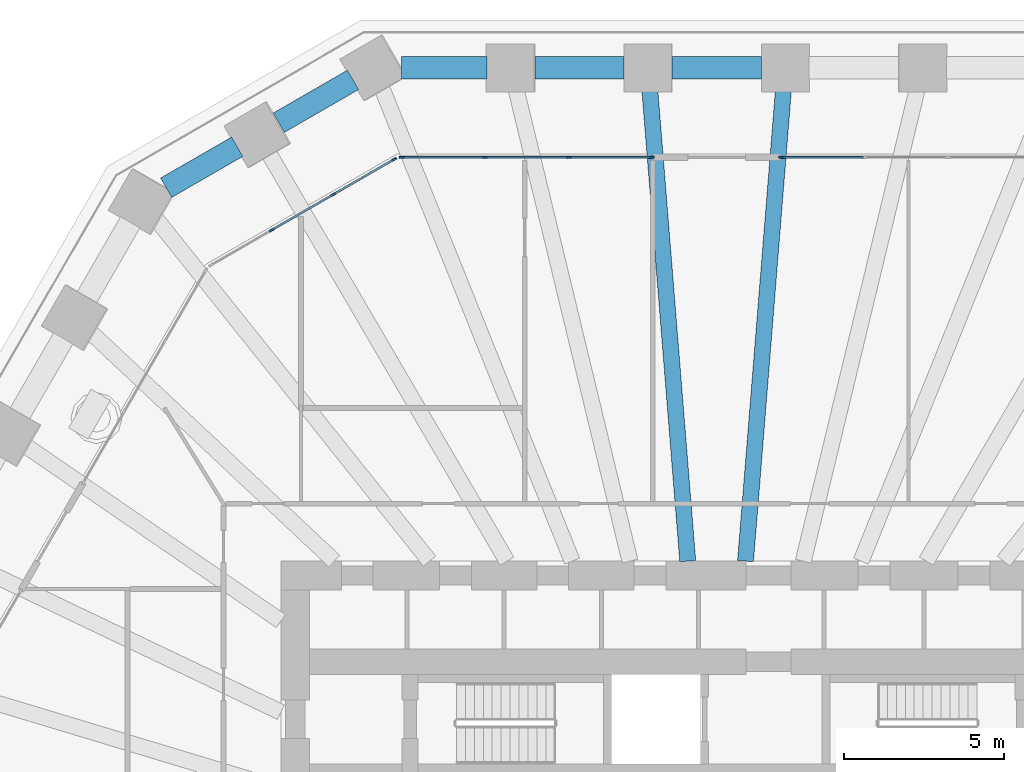
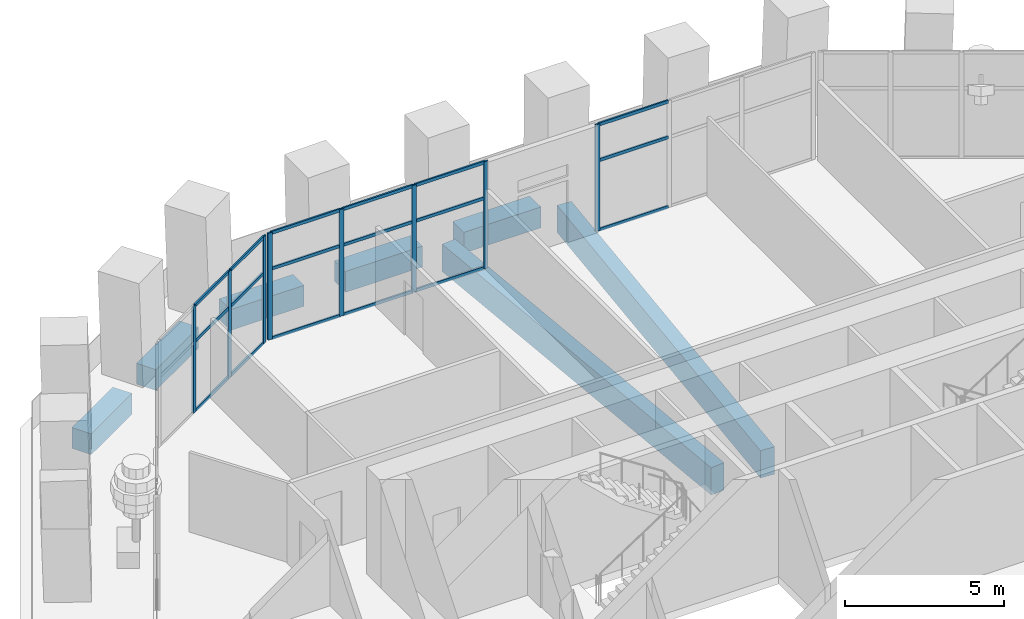
# One storey, part 7 of 18: 26 members, 7 beams, 3 elements without a shape of their own.
"""IFC4 building model written with IfcOpenShell, lengths in metres."""

from ifc_helpers import new_model, si_unit, direction, frame, origin, origin_2d, place, context, subcontext, project, spatial, rectangle, extrude, material, material_profile, profile_set, type_object, element, aggregate, save


model = new_model("IFC4")

# Units and contexts
model_context = context("Model", 3, precision=1e-05, world=origin(), true_north=direction((0.0, 1.0)))
body_context = subcontext(model_context, "Body", "Model", "MODEL_VIEW")
ifc_project = project(units=[si_unit("LENGTHUNIT", "METRE"), si_unit("AREAUNIT", "SQUARE_METRE"), si_unit("VOLUMEUNIT", "CUBIC_METRE"), si_unit("PLANEANGLEUNIT", "RADIAN"), si_unit("MASSUNIT", "GRAM", prefix="KILO")], contexts=[model_context])

# Site, building, storey
site_placement = place(None, origin())
site = spatial("IfcSite", under=ifc_project, at=site_placement, CompositionType="ELEMENT")
building_placement = place(site_placement, origin())
building = spatial("IfcBuilding", under=site, at=building_placement, Name="Frailejon Research Tower", CompositionType="ELEMENT")
storey_placement = place(building_placement, frame((0.0, 0.0, 19.0)))
storey = spatial("IfcBuildingStorey", under=building, at=storey_placement, Name="L04", CompositionType="ELEMENT", Elevation=19.0)

# Curtain wall, member
ifc_material_1 = material(Name="Aluminium curtain wall", Category="aluminium")
curtain_wall_type = type_object("IfcCurtainWallType", Name="Base zone unitised curtain wall system", PredefinedType="NOTDEFINED", material=ifc_material_1)
curtain_wall_1_placement = place(storey_placement, origin())
curtain_wall_1 = element("IfcCurtainWall", 1, at=curtain_wall_1_placement, inside=storey, type_object=curtain_wall_type, Name="Curtain wall L04", PredefinedType="NOTDEFINED")
ifc_material_2 = material(Name="Aluminium extrusion", Category="aluminium")
ifc_material_profile_1 = material_profile(ifc_material_2, rectangle(XDim=0.06005859375, YDim=0.159912109375, at=origin_2d()), Name="Base zone unitised curtain wall mullion 60x160")
ifc_profile_set_1 = profile_set([ifc_material_profile_1], Name="Aluminium extrusion")
member_type_1 = type_object("IfcMemberType", Name="Base zone unitised curtain wall mullion 60x160", PredefinedType="MULLION", material=ifc_profile_set_1)
member_1_placement = place(storey_placement, frame((2.02783203125, 23.89990234375, 0.0), z_axis=(0.0, 0.0, 1.0), x_axis=(0.0, -1.0, 0.0)))
member_1 = element("IfcMember", 2, at=member_1_placement, type_object=member_type_1, Name="CW3-067 mullion 4", PredefinedType="MULLION", context=body_context, shape_type="SweptSolid", body=[
    extrude(rectangle(XDim=0.06005859375, YDim=0.159912109375, at=origin_2d()), origin(), (0.0, 0.0, 1.0), 4.10009765625),
])

# Curtain wall, members
curtain_wall_2_placement = place(storey_placement, origin())
curtain_wall_2 = element("IfcCurtainWall", 3, at=curtain_wall_2_placement, inside=storey, type_object=curtain_wall_type, Name="Curtain wall L04", PredefinedType="NOTDEFINED")
member_2_placement = place(storey_placement, frame((-2.02783203125, 23.89990234375, 0.0), z_axis=(0.0, 0.0, 1.0), x_axis=(0.0, -1.0, 0.0)))
member_2 = element("IfcMember", 4, at=member_2_placement, type_object=member_type_1, Name="CW3-068 mullion 1", PredefinedType="MULLION", context=body_context, shape_type="SweptSolid", body=[
    extrude(rectangle(XDim=0.06005859375, YDim=0.159912109375, at=origin_2d()), origin(), (0.0, 0.0, 1.0), 4.10009765625),
])
member_3_placement = place(storey_placement, frame((-4.62841796875, 23.89990234375, 0.0), z_axis=(0.0, 0.0, 1.0), x_axis=(0.0, -1.0, 0.0)))
member_3 = element("IfcMember", 5, at=member_3_placement, type_object=member_type_1, Name="CW3-068 mullion 2", PredefinedType="MULLION", context=body_context, shape_type="SweptSolid", body=[
    extrude(rectangle(XDim=0.06005859375, YDim=0.159912109375, at=origin_2d()), origin(), (0.0, 0.0, 1.0), 4.10009765625),
])
member_4_placement = place(storey_placement, frame((-7.2587890625, 23.89990234375, 0.0), z_axis=(0.0, 0.0, 1.0), x_axis=(0.0, -1.0, 0.0)))
member_4 = element("IfcMember", 6, at=member_4_placement, type_object=member_type_1, Name="CW3-068 mullion 3", PredefinedType="MULLION", context=body_context, shape_type="SweptSolid", body=[
    extrude(rectangle(XDim=0.06005859375, YDim=0.159912109375, at=origin_2d()), origin(), (0.0, 0.0, 1.0), 4.10009765625),
])
member_5_placement = place(storey_placement, frame((-9.859375, 23.89990234375, 0.0), z_axis=(0.0, 0.0, 1.0), x_axis=(0.0, -1.0, 0.0)))
member_5 = element("IfcMember", 7, at=member_5_placement, type_object=member_type_1, Name="CW3-068 mullion 4", PredefinedType="MULLION", context=body_context, shape_type="SweptSolid", body=[
    extrude(rectangle(XDim=0.06005859375, YDim=0.159912109375, at=origin_2d()), origin(), (0.0, 0.0, 1.0), 4.10009765625),
])

curtain_wall_3_placement = place(storey_placement, origin())
curtain_wall_3 = element("IfcCurtainWall", 8, at=curtain_wall_3_placement, inside=storey, type_object=curtain_wall_type, Name="Curtain wall L04", PredefinedType="NOTDEFINED")
member_6_placement = place(storey_placement, frame((-10.101806640625, 23.8349609375, 0.0), z_axis=(0.0, 0.0, 1.0), x_axis=(0.499998258782, -0.866026409075, 0.0)))
member_6 = element("IfcMember", 9, at=member_6_placement, type_object=member_type_1, Name="CW3-069 mullion 1", PredefinedType="MULLION", context=body_context, shape_type="SweptSolid", body=[
    extrude(rectangle(XDim=0.06005859375, YDim=0.159912109375, at=origin_2d()), origin(), (0.0, 0.0, 1.0), 4.10009765625),
])
member_7_placement = place(storey_placement, frame((-12.002685546875, 22.737548828125, 0.0), z_axis=(0.0, 0.0, 1.0), x_axis=(0.499998258782, -0.866026409075, 0.0)))
member_7 = element("IfcMember", 10, at=member_7_placement, type_object=member_type_1, Name="CW3-069 mullion 2", PredefinedType="MULLION", context=body_context, shape_type="SweptSolid", body=[
    extrude(rectangle(XDim=0.06005859375, YDim=0.159912109375, at=origin_2d()), origin(), (0.0, 0.0, 1.0), 4.10009765625),
])
member_8_placement = place(storey_placement, frame((-13.929443359375, 21.625244140625, 0.0), z_axis=(0.0, 0.0, 1.0), x_axis=(0.499998258782, -0.866026409075, 0.0)))
member_8 = element("IfcMember", 11, at=member_8_placement, type_object=member_type_1, Name="CW3-069 mullion 3", PredefinedType="MULLION", context=body_context, shape_type="SweptSolid", body=[
    extrude(rectangle(XDim=0.06005859375, YDim=0.159912109375, at=origin_2d()), origin(), (0.0, 0.0, 1.0), 4.10009765625),
])

# Member
ifc_material_3 = material(Name="Aluminium extrusion", Category="aluminium")
ifc_material_profile_2 = material_profile(ifc_material_3, rectangle(XDim=0.06005859375, YDim=0.1201171875, at=origin_2d()), Name="Base zone unitised curtain wall transom 60x120")
ifc_profile_set_2 = profile_set([ifc_material_profile_2], Name="Aluminium extrusion")
member_type_2 = type_object("IfcMemberType", Name="Base zone unitised curtain wall transom 60x120", PredefinedType="USERDEFINED", material=ifc_profile_set_2)
member_9_placement = place(storey_placement, frame((4.598388671875, 23.89990234375, 0.030029296875), z_axis=(-1.0, 0.0, 0.0), x_axis=(0.0, -1.0, 0.0)))
member_9 = element("IfcMember", 12, at=member_9_placement, type_object=member_type_2, Name="CW3-067 transom 3.1", ObjectType="TRANSOM", PredefinedType="USERDEFINED", context=body_context, shape_type="SweptSolid", body=[
    extrude(rectangle(XDim=0.06005859375, YDim=0.1201171875, at=origin_2d()), origin(), (0.0, 0.0, 1.0), 2.54052734375),
])

member_10_placement = place(storey_placement, frame((4.598388671875, 23.89990234375, 2.699951171875), z_axis=(-1.0, 0.0, 0.0), x_axis=(0.0, -1.0, 0.0)))
member_10 = element("IfcMember", 13, at=member_10_placement, type_object=member_type_2, Name="CW3-067 transom 3.2", ObjectType="TRANSOM", PredefinedType="USERDEFINED", context=body_context, shape_type="SweptSolid", body=[
    extrude(rectangle(XDim=0.06005859375, YDim=0.1201171875, at=origin_2d()), origin(), (0.0, 0.0, 1.0), 2.54052734375),
])

member_11_placement = place(storey_placement, frame((4.598388671875, 23.89990234375, 4.070068359375), z_axis=(-1.0, 0.0, 0.0), x_axis=(0.0, -1.0, 0.0)))
member_11 = element("IfcMember", 14, at=member_11_placement, type_object=member_type_2, Name="CW3-067 transom 3.3", ObjectType="TRANSOM", PredefinedType="USERDEFINED", context=body_context, shape_type="SweptSolid", body=[
    extrude(rectangle(XDim=0.06005859375, YDim=0.1201171875, at=origin_2d()), origin(), (0.0, 0.0, 1.0), 2.54052734375),
])

aggregate(curtain_wall_1, [member_1, member_9, member_10, member_11])

member_12_placement = place(storey_placement, frame((-2.057861328125, 23.89990234375, 0.030029296875), z_axis=(-1.0, 0.0, 0.0), x_axis=(0.0, -1.0, 0.0)))
member_12 = element("IfcMember", 15, at=member_12_placement, type_object=member_type_2, Name="CW3-068 transom 1.1", ObjectType="TRANSOM", PredefinedType="USERDEFINED", context=body_context, shape_type="SweptSolid", body=[
    extrude(rectangle(XDim=0.06005859375, YDim=0.1201171875, at=origin_2d()), origin(), (0.0, 0.0, 1.0), 2.54052734375),
])

member_13_placement = place(storey_placement, frame((-2.057861328125, 23.89990234375, 2.699951171875), z_axis=(-1.0, 0.0, 0.0), x_axis=(0.0, -1.0, 0.0)))
member_13 = element("IfcMember", 16, at=member_13_placement, type_object=member_type_2, Name="CW3-068 transom 1.2", ObjectType="TRANSOM", PredefinedType="USERDEFINED", context=body_context, shape_type="SweptSolid", body=[
    extrude(rectangle(XDim=0.06005859375, YDim=0.1201171875, at=origin_2d()), origin(), (0.0, 0.0, 1.0), 2.54052734375),
])

member_14_placement = place(storey_placement, frame((-2.057861328125, 23.89990234375, 4.070068359375), z_axis=(-1.0, 0.0, 0.0), x_axis=(0.0, -1.0, 0.0)))
member_14 = element("IfcMember", 17, at=member_14_placement, type_object=member_type_2, Name="CW3-068 transom 1.3", ObjectType="TRANSOM", PredefinedType="USERDEFINED", context=body_context, shape_type="SweptSolid", body=[
    extrude(rectangle(XDim=0.06005859375, YDim=0.1201171875, at=origin_2d()), origin(), (0.0, 0.0, 1.0), 2.54052734375),
])

member_15_placement = place(storey_placement, frame((-4.658447265625, 23.89990234375, 0.030029296875), z_axis=(-1.0, 0.0, 0.0), x_axis=(0.0, -1.0, 0.0)))
member_15 = element("IfcMember", 18, at=member_15_placement, type_object=member_type_2, Name="CW3-068 transom 2.1", ObjectType="TRANSOM", PredefinedType="USERDEFINED", context=body_context, shape_type="SweptSolid", body=[
    extrude(rectangle(XDim=0.06005859375, YDim=0.1201171875, at=origin_2d()), origin(), (0.0, 0.0, 1.0), 2.5703125),
])

member_16_placement = place(storey_placement, frame((-4.658447265625, 23.89990234375, 2.699951171875), z_axis=(-1.0, 0.0, 0.0), x_axis=(0.0, -1.0, 0.0)))
member_16 = element("IfcMember", 19, at=member_16_placement, type_object=member_type_2, Name="CW3-068 transom 2.2", ObjectType="TRANSOM", PredefinedType="USERDEFINED", context=body_context, shape_type="SweptSolid", body=[
    extrude(rectangle(XDim=0.06005859375, YDim=0.1201171875, at=origin_2d()), origin(), (0.0, 0.0, 1.0), 2.5703125),
])

member_17_placement = place(storey_placement, frame((-4.658447265625, 23.89990234375, 4.070068359375), z_axis=(-1.0, 0.0, 0.0), x_axis=(0.0, -1.0, 0.0)))
member_17 = element("IfcMember", 20, at=member_17_placement, type_object=member_type_2, Name="CW3-068 transom 2.3", ObjectType="TRANSOM", PredefinedType="USERDEFINED", context=body_context, shape_type="SweptSolid", body=[
    extrude(rectangle(XDim=0.06005859375, YDim=0.1201171875, at=origin_2d()), origin(), (0.0, 0.0, 1.0), 2.5703125),
])

member_18_placement = place(storey_placement, frame((-7.288818359375, 23.89990234375, 0.030029296875), z_axis=(-1.0, 0.0, 0.0), x_axis=(0.0, -1.0, 0.0)))
member_18 = element("IfcMember", 21, at=member_18_placement, type_object=member_type_2, Name="CW3-068 transom 3.1", ObjectType="TRANSOM", PredefinedType="USERDEFINED", context=body_context, shape_type="SweptSolid", body=[
    extrude(rectangle(XDim=0.06005859375, YDim=0.1201171875, at=origin_2d()), origin(), (0.0, 0.0, 1.0), 2.54052734375),
])

member_19_placement = place(storey_placement, frame((-7.288818359375, 23.89990234375, 2.699951171875), z_axis=(-1.0, 0.0, 0.0), x_axis=(0.0, -1.0, 0.0)))
member_19 = element("IfcMember", 22, at=member_19_placement, type_object=member_type_2, Name="CW3-068 transom 3.2", ObjectType="TRANSOM", PredefinedType="USERDEFINED", context=body_context, shape_type="SweptSolid", body=[
    extrude(rectangle(XDim=0.06005859375, YDim=0.1201171875, at=origin_2d()), origin(), (0.0, 0.0, 1.0), 2.54052734375),
])

member_20_placement = place(storey_placement, frame((-7.288818359375, 23.89990234375, 4.070068359375), z_axis=(-1.0, 0.0, 0.0), x_axis=(0.0, -1.0, 0.0)))
member_20 = element("IfcMember", 23, at=member_20_placement, type_object=member_type_2, Name="CW3-068 transom 3.3", ObjectType="TRANSOM", PredefinedType="USERDEFINED", context=body_context, shape_type="SweptSolid", body=[
    extrude(rectangle(XDim=0.06005859375, YDim=0.1201171875, at=origin_2d()), origin(), (0.0, 0.0, 1.0), 2.54052734375),
])

aggregate(curtain_wall_2, [member_2, member_3, member_4, member_5, member_12, member_13, member_14, member_15, member_16, member_17, member_18, member_19, member_20])

member_21_placement = place(storey_placement, frame((-10.1279296875, 23.820068359375, 0.030029296875), z_axis=(-0.866038951244, -0.499976534377, 0.0), x_axis=(0.499976534377, -0.866038951244, 0.0)))
member_21 = element("IfcMember", 24, at=member_21_placement, type_object=member_type_2, Name="CW3-069 transom 1.1", ObjectType="TRANSOM", PredefinedType="USERDEFINED", context=body_context, shape_type="SweptSolid", body=[
    extrude(rectangle(XDim=0.06005859375, YDim=0.1201171875, at=origin_2d()), origin(), (0.0, 0.0, 1.0), 2.134765625),
])

member_22_placement = place(storey_placement, frame((-10.1279296875, 23.820068359375, 2.699951171875), z_axis=(-0.866038951244, -0.499976534377, 0.0), x_axis=(0.499976534377, -0.866038951244, 0.0)))
member_22 = element("IfcMember", 25, at=member_22_placement, type_object=member_type_2, Name="CW3-069 transom 1.2", ObjectType="TRANSOM", PredefinedType="USERDEFINED", context=body_context, shape_type="SweptSolid", body=[
    extrude(rectangle(XDim=0.06005859375, YDim=0.1201171875, at=origin_2d()), origin(), (0.0, 0.0, 1.0), 2.134765625),
])

member_23_placement = place(storey_placement, frame((-10.1279296875, 23.820068359375, 4.070068359375), z_axis=(-0.866038951244, -0.499976534377, 0.0), x_axis=(0.499976534377, -0.866038951244, 0.0)))
member_23 = element("IfcMember", 26, at=member_23_placement, type_object=member_type_2, Name="CW3-069 transom 1.3", ObjectType="TRANSOM", PredefinedType="USERDEFINED", context=body_context, shape_type="SweptSolid", body=[
    extrude(rectangle(XDim=0.06005859375, YDim=0.1201171875, at=origin_2d()), origin(), (0.0, 0.0, 1.0), 2.134765625),
])

member_24_placement = place(storey_placement, frame((-12.028564453125, 22.72265625, 0.030029296875), z_axis=(-0.866027848477, -0.499995765644, 0.0), x_axis=(0.499995765644, -0.866027848477, 0.0)))
member_24 = element("IfcMember", 27, at=member_24_placement, type_object=member_type_2, Name="CW3-069 transom 2.1", ObjectType="TRANSOM", PredefinedType="USERDEFINED", context=body_context, shape_type="SweptSolid", body=[
    extrude(rectangle(XDim=0.06005859375, YDim=0.1201171875, at=origin_2d()), origin(), (0.0, 0.0, 1.0), 2.1650390625),
])

member_25_placement = place(storey_placement, frame((-12.028564453125, 22.72265625, 2.699951171875), z_axis=(-0.866027848477, -0.499995765644, 0.0), x_axis=(0.499995765644, -0.866027848477, 0.0)))
member_25 = element("IfcMember", 28, at=member_25_placement, type_object=member_type_2, Name="CW3-069 transom 2.2", ObjectType="TRANSOM", PredefinedType="USERDEFINED", context=body_context, shape_type="SweptSolid", body=[
    extrude(rectangle(XDim=0.06005859375, YDim=0.1201171875, at=origin_2d()), origin(), (0.0, 0.0, 1.0), 2.1650390625),
])

member_26_placement = place(storey_placement, frame((-12.028564453125, 22.72265625, 4.070068359375), z_axis=(-0.866027848477, -0.499995765644, 0.0), x_axis=(0.499995765644, -0.866027848477, 0.0)))
member_26 = element("IfcMember", 29, at=member_26_placement, type_object=member_type_2, Name="CW3-069 transom 2.3", ObjectType="TRANSOM", PredefinedType="USERDEFINED", context=body_context, shape_type="SweptSolid", body=[
    extrude(rectangle(XDim=0.06005859375, YDim=0.1201171875, at=origin_2d()), origin(), (0.0, 0.0, 1.0), 2.1650390625),
])

aggregate(curtain_wall_3, [member_6, member_7, member_8, member_21, member_22, member_23, member_24, member_25, member_26])

# Beams
ifc_material_4 = material(Name="Concrete C60/75", Category="concrete")
ifc_material_profile_3 = material_profile(ifc_material_4, rectangle(XDim=0.5, YDim=1.050048828125, at=origin_2d()), Name="Girder 500x1050")
ifc_profile_set_3 = profile_set([ifc_material_profile_3], Name="Concrete C60/75")
beam_type_1 = type_object("IfcBeamType", Name="Girder 500x1050", PredefinedType="BEAM", material=ifc_profile_set_3)
for number, where, z_axis, x_axis, name in (
    (30, (2.099609375, 26.099609375, -0.824951171875), (-0.08018617766, -0.996779903947, 0.0), (0.996779903947, -0.08018617766, 0.0), "Girder 500x1050"),
    (31, (-2.099609375, 26.099609375, -0.824951171875), (0.08018617766, -0.996779903947, 0.0), (0.996779903947, 0.08018617766, 0.0), "Girder 500x1050"),
):
    element("IfcBeam", number, at=place(storey_placement, frame(where, z_axis=z_axis, x_axis=x_axis)), inside=storey, type_object=beam_type_1, Name=name, PredefinedType="BEAM", context=body_context, shape_type="SweptSolid", body=[
        extrude(rectangle(XDim=0.5, YDim=1.050048828125, at=origin_2d()), origin(), (0.0, 0.0, 1.0), 14.8974609375),
    ])
ifc_material_5 = material(Name="Concrete C60/75", Category="concrete")
ifc_material_profile_4 = material_profile(ifc_material_5, rectangle(XDim=0.699951171875, YDim=0.800048828125, at=origin_2d()), Name="Spandrel 700x800")
ifc_profile_set_4 = profile_set([ifc_material_profile_4], Name="Concrete C60/75")
beam_type_2 = type_object("IfcBeamType", Name="Spandrel 700x800", PredefinedType="BEAM", material=ifc_profile_set_4)
beam_1_placement = place(storey_placement, frame((1.39794921875, 26.699951171875, -0.75), z_axis=(-1.0, 0.0, 0.0), x_axis=(0.0, -1.0, 0.0)))
element("IfcBeam", 32, at=beam_1_placement, inside=storey, type_object=beam_type_2, Name="Spandrel 700x800", PredefinedType="BEAM", context=body_context, shape_type="SweptSolid", body=[
    extrude(rectangle(XDim=0.699951171875, YDim=0.800048828125, at=origin_2d()), origin(), (0.0, 0.0, 1.0), 2.7958984375),
])
beam_2_placement = place(storey_placement, frame((-2.89794921875, 26.699951171875, -0.75), z_axis=(-1.0, 0.0, 0.0), x_axis=(0.0, -1.0, 0.0)))
element("IfcBeam", 33, at=beam_2_placement, inside=storey, type_object=beam_type_2, Name="Spandrel 700x800", PredefinedType="BEAM", context=body_context, shape_type="SweptSolid", body=[
    extrude(rectangle(XDim=0.699951171875, YDim=0.800048828125, at=origin_2d()), origin(), (0.0, 0.0, 1.0), 2.795654296875),
])
beam_3_placement = place(storey_placement, frame((-7.193603515625, 26.699951171875, -0.75), z_axis=(-1.0, 0.0, 0.0), x_axis=(0.0, -1.0, 0.0)))
element("IfcBeam", 34, at=beam_3_placement, inside=storey, type_object=beam_type_2, Name="Spandrel 700x800", PredefinedType="BEAM", context=body_context, shape_type="SweptSolid", body=[
    extrude(rectangle(XDim=0.699951171875, YDim=0.800048828125, at=origin_2d()), origin(), (0.0, 0.0, 1.0), 2.679931640625),
])
beam_4_placement = place(storey_placement, frame((-11.388916015625, 26.324951171875, -0.75), z_axis=(-0.866043397086, -0.499968833392, 0.0), x_axis=(0.499968833392, -0.866043397086, 0.0)))
element("IfcBeam", 35, at=beam_4_placement, inside=storey, type_object=beam_type_2, Name="Spandrel 700x800", PredefinedType="BEAM", context=body_context, shape_type="SweptSolid", body=[
    extrude(rectangle(XDim=0.699951171875, YDim=0.800048828125, at=origin_2d()), origin(), (0.0, 0.0, 1.0), 2.687744140625),
])
beam_5_placement = place(storey_placement, frame((-15.015625, 24.231201171875, -0.75), z_axis=(-0.866008514048, -0.50002925274, 0.0), x_axis=(0.50002925274, -0.866008514048, 0.0)))
element("IfcBeam", 36, at=beam_5_placement, inside=storey, type_object=beam_type_2, Name="Spandrel 700x800", PredefinedType="BEAM", context=body_context, shape_type="SweptSolid", body=[
    extrude(rectangle(XDim=0.699951171875, YDim=0.800048828125, at=origin_2d()), origin(), (0.0, 0.0, 1.0), 2.571533203125),
])

save(model, "model.ifc")
